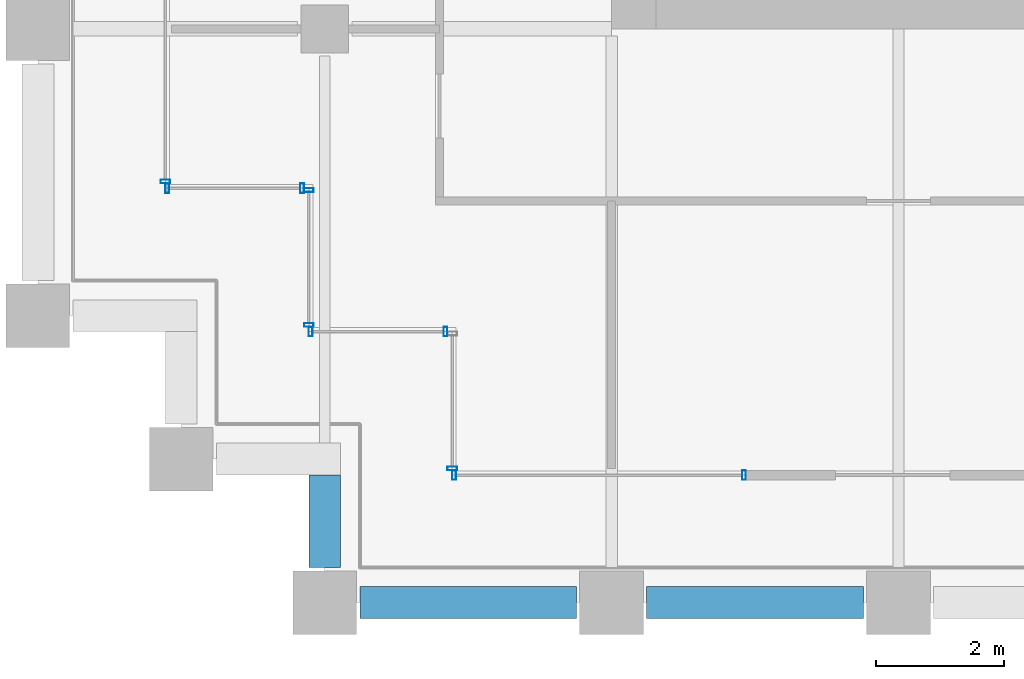
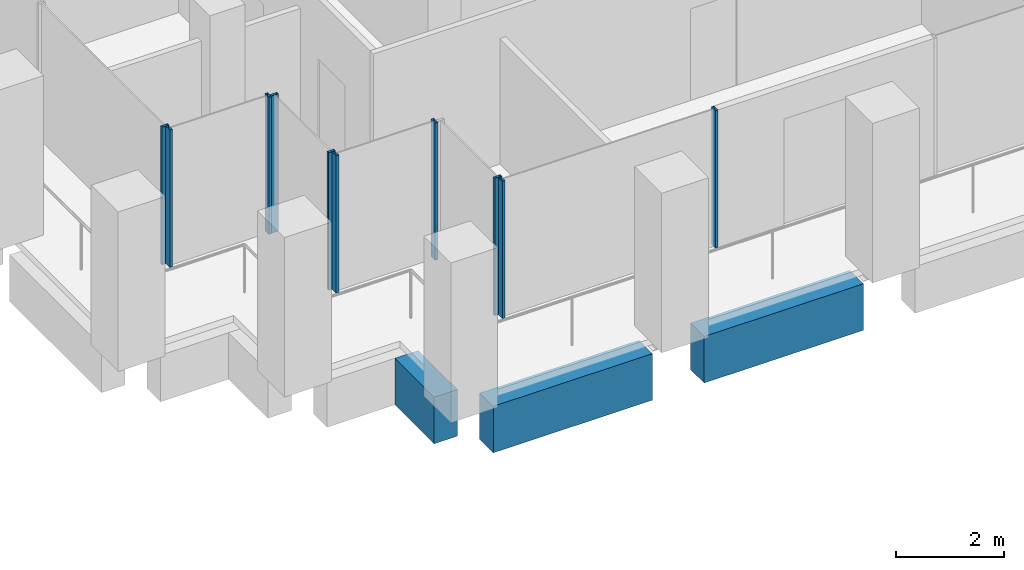
# One storey, part 30 of 52: 10 members, 3 beams, 6 elements without a shape of their own.
"""IFC4 building model written with IfcOpenShell, lengths in metres."""

from ifc_helpers import new_model, si_unit, direction, frame, origin, origin_2d, place, context, subcontext, project, spatial, rectangle, hollow_rectangle, extrude, material, material_profile, profile_set, type_object, element, aggregate, save


model = new_model("IFC4")

# Units and contexts
model_context = context("Model", 3, precision=1e-05, world=origin(), true_north=direction((0.0, 1.0)))
body_context = subcontext(model_context, "Body", "Model", "MODEL_VIEW")
ifc_project = project(units=[si_unit("LENGTHUNIT", "METRE"), si_unit("AREAUNIT", "SQUARE_METRE"), si_unit("VOLUMEUNIT", "CUBIC_METRE"), si_unit("PLANEANGLEUNIT", "RADIAN"), si_unit("MASSUNIT", "GRAM", prefix="KILO")], contexts=[model_context])

# Site, building, storey
site_placement = place(None, origin())
site = spatial("IfcSite", under=ifc_project, at=site_placement, CompositionType="ELEMENT")
building_placement = place(site_placement, origin())
building = spatial("IfcBuilding", under=site, at=building_placement, Name="Altepetl Exchange Towers", CompositionType="ELEMENT")
storey_placement = place(building_placement, frame((0.0, 0.0, 92.0)))
storey = spatial("IfcBuildingStorey", under=building, at=storey_placement, Name="L22", CompositionType="ELEMENT", Elevation=92.0)

# Curtain wall, member
ifc_material_1 = material(Name="Aluminium 6063-T6 glazing", Category="aluminium")
curtain_wall_type = type_object("IfcCurtainWallType", Name="Loggia glazing system", PredefinedType="NOTDEFINED", material=ifc_material_1)
curtain_wall_1_placement = place(storey_placement, origin())
curtain_wall_1 = element("IfcCurtainWall", 1, at=curtain_wall_1_placement, inside=storey, type_object=curtain_wall_type, Name="CW1 run", PredefinedType="NOTDEFINED")
ifc_material_2 = material(Name="Aluminium 6063-T6", Category="aluminium")
ifc_material_profile_1 = material_profile(ifc_material_2, hollow_rectangle(XDim=0.06005859375, YDim=0.14990234375, WallThickness=0.0029296875, at=origin_2d()), Name="Mullion 60x150 aluminium")
ifc_profile_set_1 = profile_set([ifc_material_profile_1], Name="Aluminium 6063-T6")
member_type = type_object("IfcMemberType", Name="Mullion 60x150 aluminium", PredefinedType="MULLION", material=ifc_profile_set_1)
member_1_placement = place(storey_placement, frame((96.5, 33.60498046875, 0.0), z_axis=(0.0, 0.0, 1.0), x_axis=(0.0, -1.0, 0.0)))
member_1 = element("IfcMember", 2, at=member_1_placement, type_object=member_type, Name="MU1 mullion", PredefinedType="MULLION", context=body_context, shape_type="SweptSolid", body=[
    extrude(hollow_rectangle(XDim=0.06005859375, YDim=0.14990234375, WallThickness=0.0029296875, at=origin_2d()), origin(), (0.0, 0.0, 1.0), 3.10009765625),
])
aggregate(curtain_wall_1, [member_1])

# Curtain wall, members
curtain_wall_2_placement = place(storey_placement, origin())
curtain_wall_2 = element("IfcCurtainWall", 3, at=curtain_wall_2_placement, inside=storey, type_object=curtain_wall_type, Name="CW1 run", PredefinedType="NOTDEFINED")
member_2_placement = place(storey_placement, frame((96.530029296875, 33.5, 0.0)))
member_2 = element("IfcMember", 4, at=member_2_placement, type_object=member_type, Name="MU1 mullion", PredefinedType="MULLION", context=body_context, shape_type="SweptSolid", body=[
    extrude(hollow_rectangle(XDim=0.06005859375, YDim=0.14990234375, WallThickness=0.0029296875, at=origin_2d()), origin(), (0.0, 0.0, 1.0), 3.10009765625),
])
member_3_placement = place(storey_placement, frame((98.64501953125, 33.5, 0.0)))
member_3 = element("IfcMember", 5, at=member_3_placement, type_object=member_type, Name="MU1 mullion", PredefinedType="MULLION", context=body_context, shape_type="SweptSolid", body=[
    extrude(hollow_rectangle(XDim=0.06005859375, YDim=0.14990234375, WallThickness=0.0029296875, at=origin_2d()), origin(), (0.0, 0.0, 1.0), 3.10009765625),
])
aggregate(curtain_wall_2, [member_2, member_3])

curtain_wall_3_placement = place(storey_placement, origin())
curtain_wall_3 = element("IfcCurtainWall", 6, at=curtain_wall_3_placement, inside=storey, type_object=curtain_wall_type, Name="CW1 run", PredefinedType="NOTDEFINED")
member_4_placement = place(storey_placement, frame((98.75, 33.469970703125, 0.0), z_axis=(0.0, 0.0, 1.0), x_axis=(0.0, -1.0, 0.0)))
member_4 = element("IfcMember", 7, at=member_4_placement, type_object=member_type, Name="MU1 mullion", PredefinedType="MULLION", context=body_context, shape_type="SweptSolid", body=[
    extrude(hollow_rectangle(XDim=0.06005859375, YDim=0.14990234375, WallThickness=0.0029296875, at=origin_2d()), origin(), (0.0, 0.0, 1.0), 3.10009765625),
])
member_5_placement = place(storey_placement, frame((98.75, 31.35498046875, 0.0), z_axis=(0.0, 0.0, 1.0), x_axis=(0.0, -1.0, 0.0)))
member_5 = element("IfcMember", 8, at=member_5_placement, type_object=member_type, Name="MU1 mullion", PredefinedType="MULLION", context=body_context, shape_type="SweptSolid", body=[
    extrude(hollow_rectangle(XDim=0.06005859375, YDim=0.14990234375, WallThickness=0.0029296875, at=origin_2d()), origin(), (0.0, 0.0, 1.0), 3.10009765625),
])
aggregate(curtain_wall_3, [member_4, member_5])

curtain_wall_4_placement = place(storey_placement, origin())
curtain_wall_4 = element("IfcCurtainWall", 9, at=curtain_wall_4_placement, inside=storey, type_object=curtain_wall_type, Name="CW1 run", PredefinedType="NOTDEFINED")
member_6_placement = place(storey_placement, frame((98.780029296875, 31.25, 0.0)))
member_6 = element("IfcMember", 10, at=member_6_placement, type_object=member_type, Name="MU1 mullion", PredefinedType="MULLION", context=body_context, shape_type="SweptSolid", body=[
    extrude(hollow_rectangle(XDim=0.06005859375, YDim=0.14990234375, WallThickness=0.0029296875, at=origin_2d()), origin(), (0.0, 0.0, 1.0), 3.10009765625),
])
member_7_placement = place(storey_placement, frame((100.89501953125, 31.25, 0.0)))
member_7 = element("IfcMember", 11, at=member_7_placement, type_object=member_type, Name="MU1 mullion", PredefinedType="MULLION", context=body_context, shape_type="SweptSolid", body=[
    extrude(hollow_rectangle(XDim=0.06005859375, YDim=0.14990234375, WallThickness=0.0029296875, at=origin_2d()), origin(), (0.0, 0.0, 1.0), 3.10009765625),
])
aggregate(curtain_wall_4, [member_6, member_7])

# Curtain wall, member
curtain_wall_5_placement = place(storey_placement, origin())
curtain_wall_5 = element("IfcCurtainWall", 12, at=curtain_wall_5_placement, inside=storey, type_object=curtain_wall_type, Name="CW1 run", PredefinedType="NOTDEFINED")
member_8_placement = place(storey_placement, frame((101.0, 29.10498046875, 0.0), z_axis=(0.0, 0.0, 1.0), x_axis=(0.0, -1.0, 0.0)))
member_8 = element("IfcMember", 13, at=member_8_placement, type_object=member_type, Name="MU1 mullion", PredefinedType="MULLION", context=body_context, shape_type="SweptSolid", body=[
    extrude(hollow_rectangle(XDim=0.06005859375, YDim=0.14990234375, WallThickness=0.0029296875, at=origin_2d()), origin(), (0.0, 0.0, 1.0), 3.10009765625),
])
aggregate(curtain_wall_5, [member_8])

# Curtain wall, members
curtain_wall_6_placement = place(storey_placement, origin())
curtain_wall_6 = element("IfcCurtainWall", 14, at=curtain_wall_6_placement, inside=storey, type_object=curtain_wall_type, Name="CW1 run", PredefinedType="NOTDEFINED")
member_9_placement = place(storey_placement, frame((101.030029296875, 29.0, 0.0)))
member_9 = element("IfcMember", 15, at=member_9_placement, type_object=member_type, Name="MU1 mullion", PredefinedType="MULLION", context=body_context, shape_type="SweptSolid", body=[
    extrude(hollow_rectangle(XDim=0.06005859375, YDim=0.14990234375, WallThickness=0.0029296875, at=origin_2d()), origin(), (0.0, 0.0, 1.0), 3.10009765625),
])
member_10_placement = place(storey_placement, frame((105.576171875, 29.0, 0.0)))
member_10 = element("IfcMember", 16, at=member_10_placement, type_object=member_type, Name="MU1 mullion", PredefinedType="MULLION", context=body_context, shape_type="SweptSolid", body=[
    extrude(hollow_rectangle(XDim=0.06005859375, YDim=0.14990234375, WallThickness=0.0029296875, at=origin_2d()), origin(), (0.0, 0.0, 1.0), 3.10009765625),
])
aggregate(curtain_wall_6, [member_9, member_10])

# Beams
ifc_material_3 = material(Name="Concrete C50/60 precast with tezontle facing", Category="concrete")
ifc_material_profile_2 = material_profile(ifc_material_3, rectangle(XDim=0.5, YDim=1.050048828125, at=origin_2d()), Name="500 x 1050")
ifc_profile_set_2 = profile_set([ifc_material_profile_2], Name="Concrete C50/60 precast with tezontle facing")
beam_type = type_object("IfcBeamType", Name="Spandrel beam 500x1050 tezontle", PredefinedType="SPANDREL", material=ifc_profile_set_2)
for number, where, z_axis, x_axis, name in (
    (17, (99.550048828125, 27.0, -0.675048828125), (1.0, 0.0, 0.0), (0.0, 1.0, 0.0), "sp:B:L22:000"),
    (18, (104.050048828125, 27.0, -0.675048828125), (1.0, 0.0, 0.0), (0.0, 1.0, 0.0), "sp:B:L22:001"),
):
    element("IfcBeam", number, at=place(storey_placement, frame(where, z_axis=z_axis, x_axis=x_axis)), inside=storey, type_object=beam_type, Name=name, PredefinedType="SPANDREL", context=body_context, shape_type="SweptSolid", body=[
        extrude(rectangle(XDim=0.5, YDim=1.050048828125, at=origin_2d()), origin(), (0.0, 0.0, 1.0), 3.39990234375),
    ])
beam_placement = place(storey_placement, frame((99.0, 29.0, -0.675048828125), z_axis=(0.0, -1.0, 0.0), x_axis=(1.0, 0.0, 0.0)))
element("IfcBeam", 19, at=beam_placement, inside=storey, type_object=beam_type, Name="sp:B:L22:030", PredefinedType="SPANDREL", context=body_context, shape_type="SweptSolid", body=[
    extrude(rectangle(XDim=0.5, YDim=1.050048828125, at=origin_2d()), origin(), (0.0, 0.0, 1.0), 1.449951171875),
])

save(model, "model.ifc")
